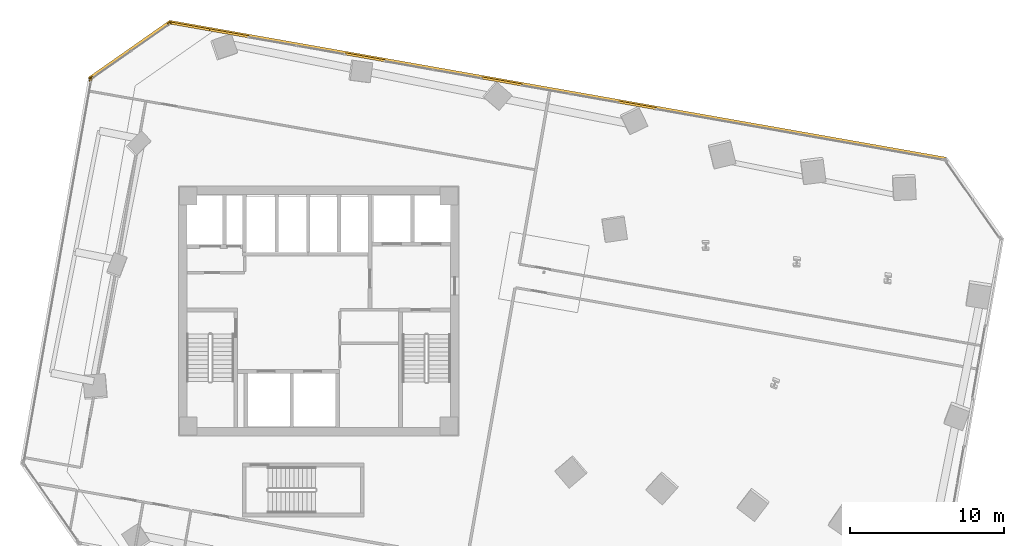
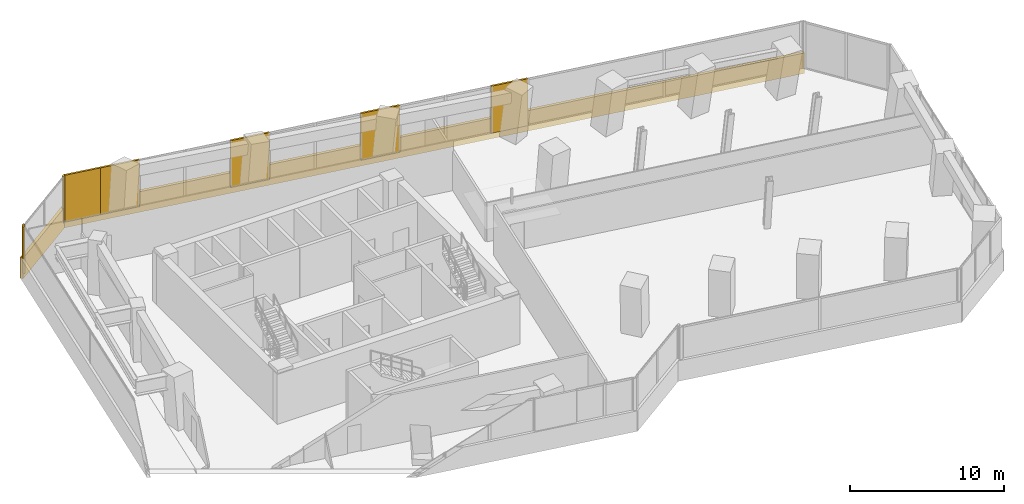
# One storey, part 24 of 24: 10 coverings.
"""IFC4 building model written with IfcOpenShell, lengths in metres."""

from ifc_helpers import new_model, si_unit, direction, frame, origin, origin_2d, place, context, subcontext, project, spatial, rectangle, extrude, source, transform, mapped, material, layer, layer_set, type_object, element, save


model = new_model("IFC4")

# Units and contexts
model_context = context("Model", 3, precision=1e-05, world=origin(), true_north=direction((0.0, 1.0)))
body_context = subcontext(model_context, "Body", "Model", "MODEL_VIEW")
ifc_project = project(units=[si_unit("LENGTHUNIT", "METRE"), si_unit("AREAUNIT", "SQUARE_METRE"), si_unit("VOLUMEUNIT", "CUBIC_METRE"), si_unit("PLANEANGLEUNIT", "RADIAN"), si_unit("MASSUNIT", "GRAM", prefix="KILO")], contexts=[model_context])

# Site, building, storey
site_placement = place(None, origin())
site = spatial("IfcSite", under=ifc_project, at=site_placement, CompositionType="ELEMENT")
building_placement = place(site_placement, origin())
building = spatial("IfcBuilding", under=site, at=building_placement, Name="Torre Montelarca", CompositionType="ELEMENT")
storey_placement = place(building_placement, frame((0.0, 0.0, 79.0)))
storey = spatial("IfcBuildingStorey", under=building, at=storey_placement, Name="L17", CompositionType="ELEMENT", Elevation=79.0)

# Coverings
ifc_material = material(Name="Bush-hammered warm white precast concrete C45/55", Category="concrete")
ifc_layer = layer(ifc_material, 0.139892578125, Name="Bush-hammered warm white precast concrete C45/55", Category="concrete")
ifc_layer_set = layer_set([ifc_layer], Name="Bush-hammered warm white precast concrete C45/55")
covering_type = type_object("IfcCoveringType", Name="COV-TRAY-CLAD", PredefinedType="CLADDING", material=ifc_layer_set)
shared_shape_1 = source(origin(), body_context, "Body", "SweptSolid", [
    extrude(rectangle(XDim=6.48388671875, YDim=0.219970703125, at=origin_2d()), origin(), (0.0, 0.0, 1.0), 1.6201171875),
])
covering_1_placement = place(storey_placement, frame((5.77001953125, 48.917236328125, -0.449951171875), z_axis=(0.0, 0.0, 1.0), x_axis=(-0.819151043208, -0.57357786604, 0.0)))
element("IfcCovering", 1, at=covering_1_placement, inside=storey, type_object=covering_type, Name="L17 Architectural White Spandrel Tray Band TRYBOT-09", PredefinedType="CLADDING", context=body_context, shape_type="MappedRepresentation", body=[
    mapped(shared_shape_1, transform((0.0, 0.0, 0.0), scale=1.0)),
])
shared_shape_2 = source(origin(), body_context, "Body", "SweptSolid", [
    extrude(rectangle(XDim=51.219970703125, YDim=0.219970703125, at=origin_2d()), origin(), (0.0, 0.0, 1.0), 1.6201171875),
])
covering_2_placement = place(storey_placement, frame((33.515869140625, 46.30078125, -0.449951171875), z_axis=(0.0, 0.0, 1.0), x_axis=(-0.984807753012, 0.173648177667, 0.0)))
element("IfcCovering", 2, at=covering_2_placement, inside=storey, type_object=covering_type, Name="L17 Architectural White Spandrel Tray Band TRYBOT-08", PredefinedType="CLADDING", context=body_context, shape_type="MappedRepresentation", body=[
    mapped(shared_shape_2, transform((0.0, 0.0, 0.0), scale=1.0)),
])
shared_shape_3 = source(origin(), body_context, "Body", "SweptSolid", [
    extrude(rectangle(XDim=0.199951171875, YDim=0.139892578125, at=origin_2d()), origin(), (0.0, 0.0, 1.0), 3.719970703125),
])
for number, where, z_axis, x_axis, name in (
    (3, (8.31591796875, 50.626708984375, 0.0), (0.0, 0.0, 1.0), (-0.819159051786, -0.573566428478, 0.0), "L17 Architectural Column Pier Cladding E09-1"),
    (4, (3.292724609375, 47.109619140625, 0.0), (0.0, 0.0, 1.0), (-0.819159051786, -0.573566428478, 0.0), "L17 Architectural Column Pier Cladding E09-2"),
    (5, (3.214599609375, 46.987060546875, 0.0), (0.0, 0.0, 1.0), (-0.173648177667, -0.984807753012, 0.0), "L17 Architectural Column Pier Cladding E10-1"),
):
    element("IfcCovering", number, at=place(storey_placement, frame(where, z_axis=z_axis, x_axis=x_axis)), inside=storey, type_object=covering_type, Name=name, PredefinedType="CLADDING", context=body_context, shape_type="MappedRepresentation", body=[
        mapped(shared_shape_3, transform((0.0, 0.0, 0.0), scale=1.0)),
    ])
shared_shape_4 = source(origin(), body_context, "Body", "SweptSolid", [
    extrude(rectangle(XDim=2.5234375, YDim=0.139892578125, at=origin_2d()), origin(), (0.0, 0.0, 1.0), 3.719970703125),
])
covering_3_placement = place(storey_placement, frame((38.65771484375, 45.333251953125, 0.0), z_axis=(0.0, 0.0, 1.0), x_axis=(-0.984808056084, 0.173646458853, 0.0)))
element("IfcCovering", 6, at=covering_3_placement, inside=storey, type_object=covering_type, Name="L17 Architectural Column Pier Cladding E08-2", PredefinedType="CLADDING", context=body_context, shape_type="MappedRepresentation", body=[
    mapped(shared_shape_4, transform((0.0, 0.0, 0.0), scale=1.0)),
])
shared_shape_5 = source(origin(), body_context, "Body", "SweptSolid", [
    extrude(rectangle(XDim=2.689208984375, YDim=0.139892578125, at=origin_2d()), origin(), (0.0, 0.0, 1.0), 3.719970703125),
])
covering_4_placement = place(storey_placement, frame((29.8759765625, 46.881591796875, 0.0), z_axis=(0.0, 0.0, 1.0), x_axis=(-0.984808056084, 0.173646458853, 0.0)))
element("IfcCovering", 7, at=covering_4_placement, inside=storey, type_object=covering_type, Name="L17 Architectural Column Pier Cladding E08-3", PredefinedType="CLADDING", context=body_context, shape_type="MappedRepresentation", body=[
    mapped(shared_shape_5, transform((0.0, 0.0, 0.0), scale=1.0)),
])
shared_shape_6 = source(origin(), body_context, "Body", "SweptSolid", [
    extrude(rectangle(XDim=2.69140625, YDim=0.139892578125, at=origin_2d()), origin(), (0.0, 0.0, 1.0), 3.719970703125),
])
covering_5_placement = place(storey_placement, frame((21.013916015625, 48.444091796875, 0.0), z_axis=(0.0, 0.0, 1.0), x_axis=(-0.984808056084, 0.173646458853, 0.0)))
element("IfcCovering", 8, at=covering_5_placement, inside=storey, type_object=covering_type, Name="L17 Architectural Column Pier Cladding E08-4", PredefinedType="CLADDING", context=body_context, shape_type="MappedRepresentation", body=[
    mapped(shared_shape_6, transform((0.0, 0.0, 0.0), scale=1.0)),
])
shared_shape_7 = source(origin(), body_context, "Body", "SweptSolid", [
    extrude(rectangle(XDim=2.604248046875, YDim=0.139892578125, at=origin_2d()), origin(), (0.0, 0.0, 1.0), 3.719970703125),
])
covering_6_placement = place(storey_placement, frame((9.6416015625, 50.449462890625, 0.0), z_axis=(0.0, 0.0, 1.0), x_axis=(-0.984808056084, 0.173646458853, 0.0)))
element("IfcCovering", 9, at=covering_6_placement, inside=storey, type_object=covering_type, Name="L17 Architectural Column Pier Cladding E08-6", PredefinedType="CLADDING", context=body_context, shape_type="MappedRepresentation", body=[
    mapped(shared_shape_7, transform((0.0, 0.0, 0.0), scale=1.0)),
])
shared_shape_8 = source(origin(), body_context, "Body", "SweptSolid", [
    extrude(rectangle(XDim=2.693359375, YDim=0.139892578125, at=origin_2d()), origin(), (0.0, 0.0, 1.0), 3.719970703125),
])
covering_7_placement = place(storey_placement, frame((12.151611328125, 50.0068359375, 0.0), z_axis=(0.0, 0.0, 1.0), x_axis=(-0.984808056084, 0.173646458853, 0.0)))
element("IfcCovering", 10, at=covering_7_placement, inside=storey, type_object=covering_type, Name="L17 Architectural Column Pier Cladding E08-5", PredefinedType="CLADDING", context=body_context, shape_type="MappedRepresentation", body=[
    mapped(shared_shape_8, transform((0.0, 0.0, 0.0), scale=1.0)),
])

save(model, "model.ifc")
